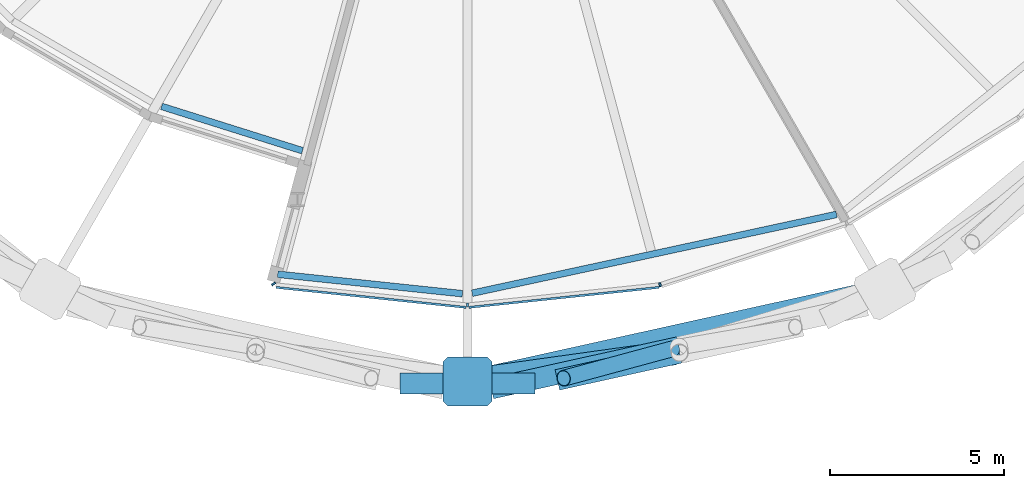
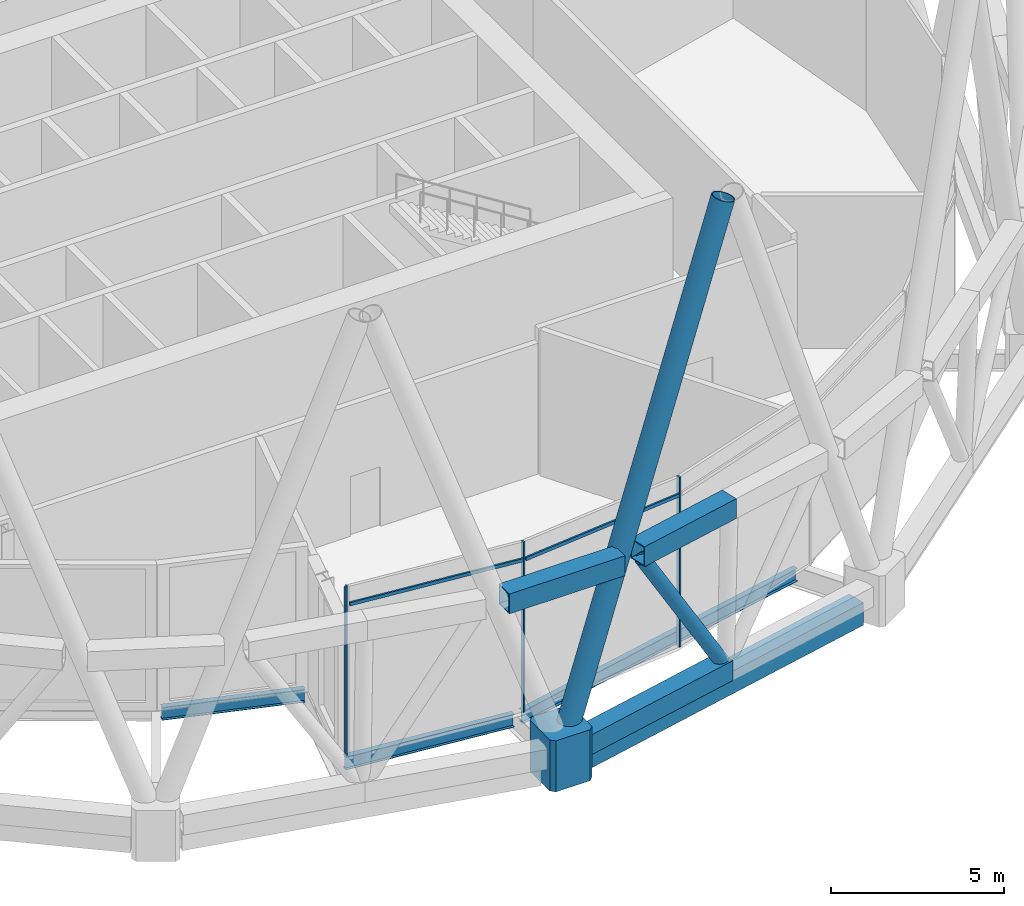
# One storey, part 4 of 33: 11 members, 4 beams, 1 element without a shape of its own.
"""IFC4 building model written with IfcOpenShell, lengths in metres."""

from ifc_helpers import new_model, si_unit, direction, frame, origin, origin_2d, place, context, subcontext, project, spatial, polyline, rectangle, hollow_rectangle, hollow_circle, i_section, outline, extrude, material, material_profile, profile_set, type_object, element, aggregate, save


model = new_model("IFC4")

# Units and contexts
model_context = context("Model", 3, precision=1e-05, world=origin(), true_north=direction((0.0, 1.0)))
body_context = subcontext(model_context, "Body", "Model", "MODEL_VIEW")
ifc_project = project(units=[si_unit("LENGTHUNIT", "METRE"), si_unit("AREAUNIT", "SQUARE_METRE"), si_unit("VOLUMEUNIT", "CUBIC_METRE"), si_unit("PLANEANGLEUNIT", "RADIAN"), si_unit("MASSUNIT", "GRAM", prefix="KILO")], contexts=[model_context])

# Site, building, storey
site_placement = place(None, origin())
site = spatial("IfcSite", under=ifc_project, at=site_placement, CompositionType="ELEMENT")
building_placement = place(site_placement, origin())
building = spatial("IfcBuilding", under=site, at=building_placement, Name="Rimbun Link Towers", CompositionType="ELEMENT")
storey_placement = place(building_placement, frame((0.0, 0.0, 75.60009765625)))
storey = spatial("IfcBuildingStorey", under=building, at=storey_placement, Name="L18", CompositionType="ELEMENT", Elevation=75.60009765625)

# Members
ifc_material_1 = material(Name="Steel S460N", Category="steel")
ifc_material_profile_1 = material_profile(ifc_material_1, hollow_rectangle(XDim=0.60009765625, YDim=0.699951171875, WallThickness=0.034912109375, at=origin_2d()), Name="Belt truss chord BOX 600x700x35")
ifc_profile_set_1 = profile_set([ifc_material_profile_1], Name="Steel S460N")
member_type_1 = type_object("IfcMemberType", Name="Belt truss chord BOX 600x700x35", PredefinedType="CHORD", material=ifc_profile_set_1)
member_1_placement = place(storey_placement, frame((-33.685302734375, -23.475830078125, 6.0), z_axis=(1.0, 0.0, 0.0), x_axis=(0.0, 1.0, 0.0)))
element("IfcMember", 1, at=member_1_placement, inside=storey, type_object=member_type_1, Name="Belt truss chord T1 L18 top 09", PredefinedType="CHORD", context=body_context, shape_type="SweptSolid", body=[
    extrude(hollow_rectangle(XDim=0.60009765625, YDim=0.699951171875, WallThickness=0.034912109375, at=origin_2d()), origin(), (0.0, 0.0, 1.0), 3.87060546875),
])
member_2_placement = place(storey_placement, frame((-31.064208984375, -23.62255859375, 0.18994140625), z_axis=(0.976355546465, 0.216170874279, 0.0), x_axis=(-0.216170874279, 0.976355546465, 0.0)))
element("IfcMember", 2, at=member_2_placement, inside=storey, type_object=member_type_1, Name="Belt truss chord T1 L18 bottom 18", PredefinedType="CHORD", context=body_context, shape_type="SweptSolid", body=[
    extrude(hollow_rectangle(XDim=0.60009765625, YDim=0.699951171875, WallThickness=0.034912109375, at=origin_2d()), origin(), (0.0, 0.0, 1.0), 5.513671875),
])
member_3_placement = place(storey_placement, frame((-29.168212890625, -23.37451171875, 6.0), z_axis=(0.97635312836, 0.216181795584, 0.0), x_axis=(-0.216181795584, 0.97635312836, 0.0)))
element("IfcMember", 3, at=member_3_placement, inside=storey, type_object=member_type_1, Name="Belt truss chord T1 L18 top 30", PredefinedType="CHORD", context=body_context, shape_type="SweptSolid", body=[
    extrude(hollow_rectangle(XDim=0.60009765625, YDim=0.699951171875, WallThickness=0.034912109375, at=origin_2d()), origin(), (0.0, 0.0, 1.0), 3.59130859375),
])
ifc_material_2 = material(Name="Steel S355J2H", Category="steel")
ifc_material_profile_2 = material_profile(ifc_material_2, hollow_circle(Radius=0.228515625, WallThickness=0.01611328125, at=origin_2d()), Name="Belt truss diagonal CHS 457x16")
ifc_profile_set_2 = profile_set([ifc_material_profile_2], Name="Steel S355J2H")
member_type_2 = type_object("IfcMemberType", Name="Belt truss diagonal CHS 457x16", PredefinedType="BRACE", material=ifc_profile_set_2)
member_4_placement = place(storey_placement, frame((-25.859375, -22.47900390625, 0.487060546875), z_axis=(-0.509700273866, -0.137939475145, 0.849222192372), x_axis=(0.261231358377, -0.965276218189, 0.0)))
element("IfcMember", 4, at=member_4_placement, inside=storey, type_object=member_type_2, Name="Belt truss diagonal T1 L18 18", PredefinedType="BRACE", context=body_context, shape_type="SweptSolid", body=[
    extrude(hollow_circle(Radius=0.228515625, WallThickness=0.01611328125, at=origin_2d()), origin(), (0.0, 0.0, 1.0), 6.1416015625),
])

# Curtain wall, members
ifc_material_3 = material(Name="Aluminium 6063-T6 louvre wall", Category="aluminium")
curtain_wall_type = type_object("IfcCurtainWallType", Name="CW6 plant floor louvre wall", PredefinedType="NOTDEFINED", material=ifc_material_3)
curtain_wall_placement = place(storey_placement, origin())
curtain_wall = element("IfcCurtainWall", 5, at=curtain_wall_placement, inside=storey, type_object=curtain_wall_type, Name="CW6 L18 T1", PredefinedType="NOTDEFINED")
ifc_material_4 = material(Name="Aluminium 6063-T6", Category="aluminium")
ifc_material_profile_3 = material_profile(ifc_material_4, rectangle(XDim=0.1201171875, YDim=0.06005859375, at=origin_2d()), Name="MULLION 60X120")
ifc_profile_set_3 = profile_set([ifc_material_profile_3], Name="Aluminium 6063-T6")
member_type_3 = type_object("IfcMemberType", Name="CW6 mullion 60X120", PredefinedType="MULLION", material=ifc_profile_set_3)
member_5_placement = place(storey_placement, frame((-31.75, -21.22607421875, 0.0), z_axis=(0.0, 0.0, 1.0), x_axis=(0.0, -1.0, 0.0)))
member_5 = element("IfcMember", 6, at=member_5_placement, type_object=member_type_3, Name="CW6 mullion", PredefinedType="MULLION", context=body_context, shape_type="SweptSolid", body=[
    extrude(rectangle(XDim=0.1201171875, YDim=0.06005859375, at=origin_2d()), origin(), (0.0, 0.0, 1.0), 6.0),
])
member_6_placement = place(storey_placement, frame((-37.315185546875, -20.619140625, 0.0), z_axis=(0.0, 0.0, 1.0), x_axis=(-0.824189978059, -0.56631341152, 0.0)))
member_6 = element("IfcMember", 7, at=member_6_placement, type_object=member_type_3, Name="CW6 mullion", PredefinedType="MULLION", context=body_context, shape_type="SweptSolid", body=[
    extrude(rectangle(XDim=0.1201171875, YDim=0.06005859375, at=origin_2d()), origin(), (0.0, 0.0, 1.0), 6.0),
])
member_7_placement = place(storey_placement, frame((-26.221435546875, -20.643798828125, 0.0), z_axis=(0.0, 0.0, 1.0), x_axis=(0.210874413841, -0.977513161848, 0.0)))
member_7 = element("IfcMember", 8, at=member_7_placement, type_object=member_type_3, Name="CW6 mullion", PredefinedType="MULLION", context=body_context, shape_type="SweptSolid", body=[
    extrude(rectangle(XDim=0.1201171875, YDim=0.06005859375, at=origin_2d()), origin(), (0.0, 0.0, 1.0), 6.0),
])
ifc_material_5 = material(Name="Aluminium 6063-T6", Category="aluminium")
ifc_material_profile_4 = material_profile(ifc_material_5, rectangle(XDim=0.06005859375, YDim=0.1201171875, at=origin_2d()), Name="TRANSOM 60X120")
ifc_profile_set_4 = profile_set([ifc_material_profile_4], Name="Aluminium 6063-T6")
member_type_4 = type_object("IfcMemberType", Name="CW6 transom 60X120", PredefinedType="USERDEFINED", material=ifc_profile_set_4)
member_8_placement = place(storey_placement, frame((-31.79345703125, -21.292236328125, 5.39990234375), z_axis=(-0.994498135336, 0.104754278261, 0.0), x_axis=(-0.104754278261, -0.994498135336, 0.0)))
member_8 = element("IfcMember", 9, at=member_8_placement, type_object=member_type_4, Name="CW6 transom", ObjectType="TRANSOM", PredefinedType="USERDEFINED", context=body_context, shape_type="SweptSolid", body=[
    extrude(rectangle(XDim=0.06005859375, YDim=0.1201171875, at=origin_2d()), origin(), (0.0, 0.0, 1.0), 5.486328125),
])
member_9_placement = place(storey_placement, frame((-26.25048828125, -20.717529296875, 5.39990234375), z_axis=(-0.994498135336, -0.104754278261, 0.0), x_axis=(0.104754278261, -0.994498135336, 0.0)))
member_9 = element("IfcMember", 10, at=member_9_placement, type_object=member_type_4, Name="CW6 transom", ObjectType="TRANSOM", PredefinedType="USERDEFINED", context=body_context, shape_type="SweptSolid", body=[
    extrude(rectangle(XDim=0.06005859375, YDim=0.1201171875, at=origin_2d()), origin(), (0.0, 0.0, 1.0), 5.486328125),
])
aggregate(curtain_wall, [member_5, member_6, member_7, member_8, member_9])

# Members
ifc_material_6 = material(Name="Steel S460NH", Category="steel")
ifc_material_profile_5 = material_profile(ifc_material_6, hollow_circle(Radius=0.355712890625, WallThickness=0.031982421875, at=origin_2d()), Name="Diagrid diagonal CHS 711x32")
ifc_profile_set_5 = profile_set([ifc_material_profile_5], Name="Steel S460NH")
member_type_5 = type_object("IfcMemberType", Name="Diagrid diagonal CHS 711x32", PredefinedType="BRACE", material=ifc_profile_set_5)
member_10_placement = place(storey_placement, frame((-31.5859375, -23.393310546875, 0.4716796875), z_axis=(0.328021462775, 0.045634360459, 0.943567392985), x_axis=(-0.137792985348, 0.990461050819, 0.0)))
element("IfcMember", 11, at=member_10_placement, inside=storey, type_object=member_type_5, Name="Diagrid diagonal T1 L18-L22 18b", PredefinedType="BRACE", context=body_context, shape_type="SweptSolid", body=[
    extrude(hollow_circle(Radius=0.355712890625, WallThickness=0.031982421875, at=origin_2d()), origin(), (0.0, 0.0, 1.0), 17.440673828125),
])
ifc_material_7 = material(Name="Cast steel G20Mn5+QT, Rp0.2 300 MPa", Category="steel")
ifc_material_profile_6 = material_profile(ifc_material_7, outline(polyline([(0.699951171875, -0.570068359375), (0.699951171875, 0.570068359375), (0.570068359375, 0.699951171875), (-0.570068359375, 0.699951171875), (-0.699951171875, 0.570068359375), (-0.699951171875, -0.570068359375), (-0.570068359375, -0.699951171875), (0.570068359375, -0.699951171875), (0.699951171875, -0.570068359375)])), Name="NODE 1400x1400")
ifc_profile_set_6 = profile_set([ifc_material_profile_6], Name="Cast steel G20Mn5+QT, Rp0.2 300 MPa")
member_type_6 = type_object("IfcMemberType", Name="Diagrid node cast 1400", PredefinedType="USERDEFINED", material=ifc_profile_set_6)
member_11_placement = place(storey_placement, frame((-31.75, -23.416015625, -0.900146484375), z_axis=(0.0, 0.0, 1.0), x_axis=(0.0, -1.0, 0.0)))
element("IfcMember", 12, at=member_11_placement, inside=storey, type_object=member_type_6, Name="Diagrid node L18 18", ObjectType="Diagrid node", PredefinedType="USERDEFINED", context=body_context, shape_type="SweptSolid", body=[
    extrude(outline(polyline([(0.699951171875, -0.570068359375), (0.699951171875, 0.570068359375), (0.570068359375, 0.699951171875), (-0.570068359375, 0.699951171875), (-0.699951171875, 0.570068359375), (-0.699951171875, -0.570068359375), (-0.570068359375, -0.699951171875), (0.570068359375, -0.699951171875), (0.699951171875, -0.570068359375)])), origin(), (0.0, 0.0, 1.0), 1.800048828125),
])

# Beams
ifc_material_8 = material(Name="Steel S355J2", Category="steel")
ifc_material_profile_7 = material_profile(ifc_material_8, hollow_rectangle(XDim=0.60009765625, YDim=0.800048828125, WallThickness=0.0400390625, at=origin_2d()), Name="Exoskeleton ring girder BOX 600x800x40")
ifc_profile_set_7 = profile_set([ifc_material_profile_7], Name="Steel S355J2")
beam_type_1 = type_object("IfcBeamType", Name="Exoskeleton ring girder BOX 600x800x40", PredefinedType="BEAM", material=ifc_profile_set_7)
beam_1_placement = place(storey_placement, frame((-31.066650390625, -23.2646484375, -0.56005859375), z_axis=(0.976356287658, 0.216167526585, 0.0), x_axis=(-0.216167526585, 0.976356287658, 0.0)))
element("IfcBeam", 13, at=beam_1_placement, inside=storey, type_object=beam_type_1, Name="Exoskeleton ring girder L18 09", PredefinedType="BEAM", context=body_context, shape_type="SweptSolid", body=[
    extrude(hollow_rectangle(XDim=0.60009765625, YDim=0.800048828125, WallThickness=0.0400390625, at=origin_2d()), origin(), (0.0, 0.0, 1.0), 10.877197265625),
])
ifc_material_9 = material(Name="Steel S355J2", Category="steel")
ifc_material_profile_8 = material_profile(ifc_material_9, i_section(OverallWidth=0.18994140625, OverallDepth=0.453369140625, WebThickness=0.008544921875, FlangeThickness=0.0126953125, at=origin_2d()), Name="UB 457x191x67")
ifc_profile_set_8 = profile_set([ifc_material_profile_8], Name="Steel S355J2")
beam_type_2 = type_object("IfcBeamType", Name="UB 457x191x67", PredefinedType="BEAM", material=ifc_profile_set_8)
beam_2_placement = place(storey_placement, frame((-40.532470703125, -15.521484375, -0.4267578125), z_axis=(0.953902380067, -0.300117059333, 0.0), x_axis=(0.300117059333, 0.953902380067, 0.0)))
element("IfcBeam", 14, at=beam_2_placement, inside=storey, type_object=beam_type_2, Name="Edge beam T1 L18 16 recess", PredefinedType="BEAM", context=body_context, shape_type="SweptSolid", body=[
    extrude(i_section(OverallWidth=0.18994140625, OverallDepth=0.453369140625, WebThickness=0.008544921875, FlangeThickness=0.0126953125, at=origin_2d()), origin(), (0.0, 0.0, 1.0), 4.239990234375),
])
beam_3_placement = place(storey_placement, frame((-37.19921875, -20.3408203125, -0.4267578125), z_axis=(0.99450194136, -0.104718138977, 0.0), x_axis=(0.104718138977, 0.99450194136, 0.0)))
element("IfcBeam", 15, at=beam_3_placement, inside=storey, type_object=beam_type_2, Name="Edge beam T1 L18 17", PredefinedType="BEAM", context=body_context, shape_type="SweptSolid", body=[
    extrude(i_section(OverallWidth=0.18994140625, OverallDepth=0.453369140625, WebThickness=0.008544921875, FlangeThickness=0.0126953125, at=origin_2d()), origin(), (0.0, 0.0, 1.0), 5.334228515625),
])
beam_4_placement = place(storey_placement, frame((-31.61572265625, -20.885498046875, -0.4267578125), z_axis=(0.977388310201, 0.211452337616, 0.0), x_axis=(-0.211452337616, 0.977388310201, 0.0)))
element("IfcBeam", 16, at=beam_4_placement, inside=storey, type_object=beam_type_2, Name="Edge beam T1 L18 18-20", PredefinedType="BEAM", context=body_context, shape_type="SweptSolid", body=[
    extrude(i_section(OverallWidth=0.18994140625, OverallDepth=0.453369140625, WebThickness=0.008544921875, FlangeThickness=0.0126953125, at=origin_2d()), origin(), (0.0, 0.0, 1.0), 10.7041015625),
])

save(model, "model.ifc")
